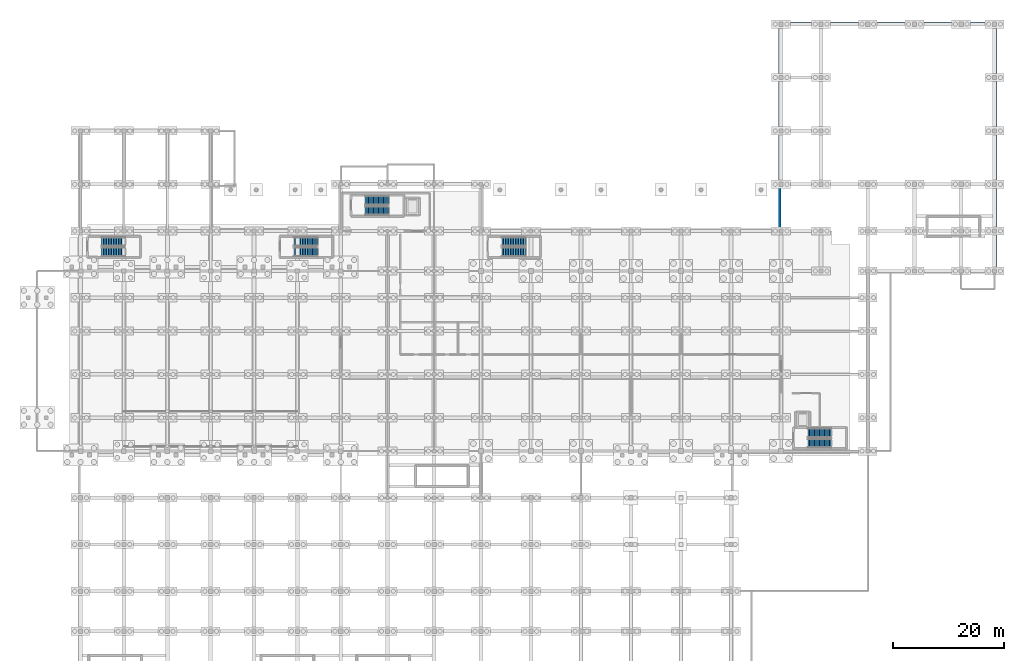
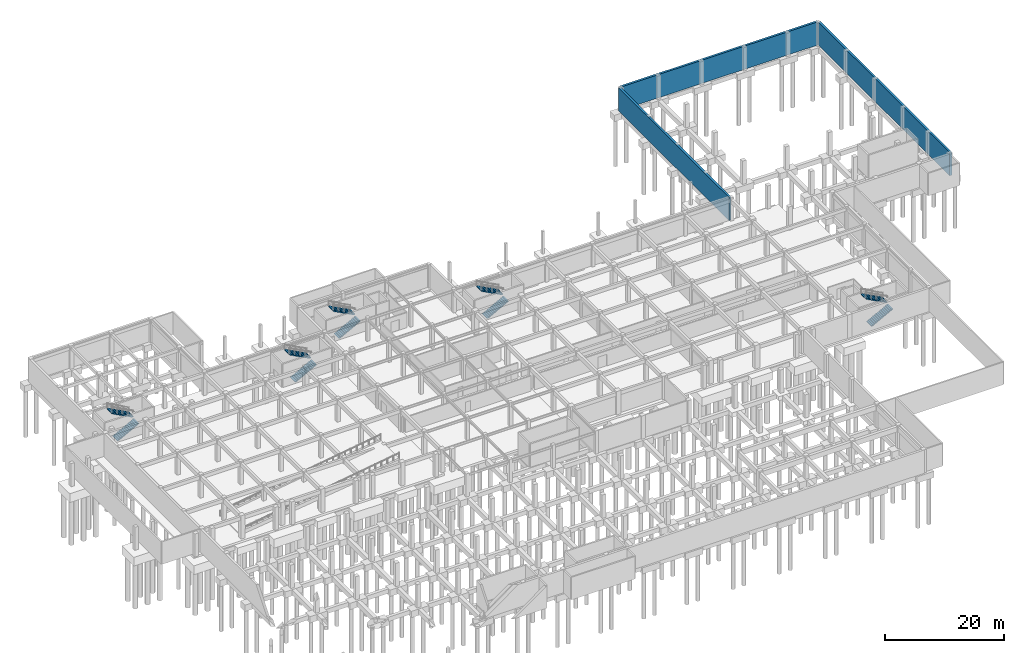
# One storey, part 21 of 26: 10 stair flights, 3 walls, 5 elements without a shape of their own.
"""IFC4 building model written with IfcOpenShell, lengths in metres."""

import ifcopenshell
import ifcopenshell.guid

model = None  # the IFC model being written
_history = None  # IfcOwnerHistory: only IFC2X3 demands one
_inside = {}  # id of a spatial element -> (the spatial element, [elements in it])
_under = {}  # id of a project, library or spatial element -> (it, [spatial elements below it])
_declared = {}  # id of a project -> (the project, [libraries it declares])
_typed = {}  # id of a type object -> (the type object, [elements of that type])
_made_of = {}  # id of a material, layer set ... -> (it, [elements and type objects made of it])


def new_model(schema):
    """Start an empty IFC model of exactly this schema.

    Asked for "IFC4X3", IfcOpenShell would pick the latest addendum, in which some entities
    have other attributes; the version numbers below select the first issue.
    IFC2X3 requires an IfcOwnerHistory on every rooted entity: one is made here for all.
    """
    global model, _history
    if schema == "IFC4X3":
        model = ifcopenshell.file(schema_version=(4, 3, 0, 0))
    else:
        model = ifcopenshell.file(schema=schema)
    _inside.clear()
    _under.clear()
    _declared.clear()
    _typed.clear()
    _made_of.clear()
    _history = None
    if model.schema == "IFC2X3":
        org = make("IfcOrganization", Name="unknown")
        user = make(
            "IfcPersonAndOrganization",
            ThePerson=make("IfcPerson", FamilyName="unknown"),
            TheOrganization=org,
        )
        app = make(
            "IfcApplication",
            ApplicationDeveloper=org,
            Version="unknown",
            ApplicationFullName="unknown",
            ApplicationIdentifier="unknown",
        )
        _history = make(
            "IfcOwnerHistory",
            OwningUser=user,
            OwningApplication=app,
            ChangeAction="ADDED",
            CreationDate=0,
        )
    return model


def make(cls, **values):
    """One entity of the class cls with the attributes given. An attribute that is None is left unset."""
    return model.create_entity(
        cls, **{name: value for name, value in values.items() if value is not None}
    )


def rooted(cls, **values):
    """An entity with a GlobalId (a new one), such as an element, a storey or a relation."""
    return make(cls, GlobalId=ifcopenshell.guid.new(), OwnerHistory=_history, **values)


def si_unit(unit_type, name, prefix=None):
    """IfcSIUnit, for example si_unit("LENGTHUNIT", "METRE", prefix="MILLI")."""
    return make("IfcSIUnit", UnitType=unit_type, Prefix=prefix, Name=name)


def assignment(units):
    """IfcUnitAssignment: the units of a project."""
    return None if units is None else make("IfcUnitAssignment", Units=units)


def point(xyz):
    """IfcCartesianPoint."""
    return None if xyz is None else make("IfcCartesianPoint", Coordinates=xyz)


def direction(xyz):
    """IfcDirection."""
    return None if xyz is None else make("IfcDirection", DirectionRatios=xyz)


def frame(location, z_axis=None, x_axis=None):
    """IfcAxis2Placement3D, a coordinate frame: its origin and axes. An axis left out is left unset."""
    return make(
        "IfcAxis2Placement3D",
        Location=point(location),
        Axis=direction(z_axis),
        RefDirection=direction(x_axis),
    )


def frame_2d(location, x_axis=None):
    """IfcAxis2Placement2D, a coordinate frame in the plane: its origin and x axis."""
    return make(
        "IfcAxis2Placement2D", Location=point(location), RefDirection=direction(x_axis)
    )


def origin():
    """The frame at (0, 0, 0) with its axes left unset."""
    return frame((0.0, 0.0, 0.0))


def place(relative_to, where):
    """IfcLocalPlacement: puts the frame where relative to a parent placement (None: the world)."""
    return make(
        "IfcLocalPlacement", PlacementRelTo=relative_to, RelativePlacement=where
    )


def context(
    kind, dimensions, precision=None, world=None, true_north=None, identifier=None
):
    """IfcGeometricRepresentationContext, for example the 3D "Model" context."""
    return make(
        "IfcGeometricRepresentationContext",
        ContextIdentifier=identifier,
        ContextType=kind,
        CoordinateSpaceDimension=dimensions,
        Precision=precision,
        WorldCoordinateSystem=world,
        TrueNorth=true_north,
    )


def subcontext(parent, identifier, kind, view, scale=None):
    """IfcGeometricRepresentationSubContext, for example "Body" below "Model"."""
    return make(
        "IfcGeometricRepresentationSubContext",
        ContextIdentifier=identifier,
        ContextType=kind,
        ParentContext=parent,
        TargetScale=scale,
        TargetView=view,
    )


def project(units=None, contexts=None):
    """IfcProject with its units and contexts."""
    return rooted(
        "IfcProject",
        Name="project",
        RepresentationContexts=contexts,
        UnitsInContext=assignment(units),
    )


def spatial(cls, under=None, at=None, **own):
    """A site, building, storey or space (cls), placed at a placement, below another one or the project."""
    s = rooted(cls, ObjectPlacement=at, **own)
    if under is not None:
        _under.setdefault(under.id(), (under, []))[1].append(s)
    return s


def polyline(points):
    """IfcPolyline through the points."""
    return make("IfcPolyline", Points=[point(p) for p in points])


def profile(cls, at=None, kind="AREA", **sizes):
    """A parametric profile (cls). Its sizes go by their IFC names, for example OverallWidth=200.0."""
    return make(cls, ProfileType=kind, Position=at, **sizes)


def rectangle(**sizes):
    """IfcRectangleProfileDef."""
    return profile("IfcRectangleProfileDef", **sizes)


def outline(outer, holes=None, kind="AREA"):
    """IfcArbitraryClosedProfileDef: a profile drawn as a closed curve; with holes, ...WithVoids."""
    if holes is None:
        return make("IfcArbitraryClosedProfileDef", ProfileType=kind, OuterCurve=outer)
    return make(
        "IfcArbitraryProfileDefWithVoids",
        ProfileType=kind,
        OuterCurve=outer,
        InnerCurves=holes,
    )


def extrude(swept, where, along, depth):
    """IfcExtrudedAreaSolid: the profile swept, set in the frame where, extruded along a direction by depth."""
    return make(
        "IfcExtrudedAreaSolid",
        SweptArea=swept,
        Position=where,
        ExtrudedDirection=direction(along),
        Depth=depth,
    )


def shape(context_of_items, identifier, shape_type, items):
    """IfcShapeRepresentation: the items that make up one representation, for example the "Body"."""
    return make(
        "IfcShapeRepresentation",
        ContextOfItems=context_of_items,
        RepresentationIdentifier=identifier,
        RepresentationType=shape_type,
        Items=items,
    )


def material(Name=None, Category=None):
    """IfcMaterial."""
    return make("IfcMaterial", Name=Name, Category=Category)


def layer(
    of_material, thickness, ventilated=None, Name=None, Category=None, Priority=None
):
    """IfcMaterialLayer: one layer of a wall or slab, of a material (None: an air gap)."""
    return make(
        "IfcMaterialLayer",
        Material=of_material,
        LayerThickness=thickness,
        IsVentilated=ventilated,
        Name=Name,
        Category=Category,
        Priority=Priority,
    )


def layer_set(layers, Name=None):
    """IfcMaterialLayerSet."""
    return make("IfcMaterialLayerSet", MaterialLayers=layers, LayerSetName=Name)


def made_of(thing, what):
    """Note that an element or type object is made of a material, layer set ...; save() writes the relation."""
    if what is not None:
        _made_of.setdefault(what.id(), (what, []))[1].append(thing)
    return thing


def type_object(cls, material=None, **own):
    """A type object (cls), such as IfcWallType, which elements share."""
    return made_of(rooted(cls, **own), material)


def element(
    cls,
    number,
    at=None,
    inside=None,
    cuts=None,
    type_object=None,
    material=None,
    context=None,
    identifier="Body",
    shape_type=None,
    held_by="IfcProductDefinitionShape",
    body=None,
    shapes=None,
    **own,
):
    """One element of the class cls, such as IfcWall. Its Tag is "e" and its number.

    at: its placement. inside: the storey or other place that contains it. cuts: it is an
    opening in that element (IfcRelVoidsElement). A single representation is given by context,
    identifier, shape_type and body (its items); several are given by shapes. held_by: the class
    of the entity that holds the representations. save() writes the other relations.
    """
    e = rooted(cls, Tag="e%d" % number, ObjectPlacement=at, **own)
    if body is not None:
        shapes = [shape(context, identifier, shape_type, body)]
    if shapes is not None:
        e.Representation = make(held_by, Representations=shapes)
    if inside is not None:
        _inside.setdefault(inside.id(), (inside, []))[1].append(e)
    if cuts is not None:
        rooted(
            "IfcRelVoidsElement", RelatingBuildingElement=cuts, RelatedOpeningElement=e
        )
    if type_object is not None:
        _typed.setdefault(type_object.id(), (type_object, []))[1].append(e)
    return made_of(e, material)


def aggregate(whole, parts):
    """IfcRelAggregates: a whole, such as a stair, and the parts it consists of."""
    return rooted("IfcRelAggregates", RelatingObject=whole, RelatedObjects=parts)


def save(model, path):
    """Write the relations noted so far, then the file.

    IfcRelAggregates (storeys below a building ...), IfcRelContainedInSpatialStructure (elements
    in a storey), IfcRelDefinesByType, IfcRelAssociatesMaterial and IfcRelDeclares: one each for
    every whole, place, type object, material and project.
    """
    for whole, parts in _under.values():
        aggregate(whole, parts)
    for where, things in _inside.values():
        rooted(
            "IfcRelContainedInSpatialStructure",
            RelatedElements=things,
            RelatingStructure=where,
        )
    for kind, things in _typed.values():
        rooted("IfcRelDefinesByType", RelatedObjects=things, RelatingType=kind)
    for what, things in _made_of.values():
        rooted("IfcRelAssociatesMaterial", RelatedObjects=things, RelatingMaterial=what)
    for by, libraries in _declared.values():
        rooted("IfcRelDeclares", RelatingContext=by, RelatedDefinitions=libraries)
    model.write(path)


model = new_model("IFC4")

# Units and contexts
model_context = context("Model", 3, precision=1e-05, world=origin(), true_north=direction((0.0, 1.0)))
body_context = subcontext(model_context, "Body", "Model", "MODEL_VIEW")
ifc_project = project(units=[si_unit("LENGTHUNIT", "METRE"), si_unit("AREAUNIT", "SQUARE_METRE"), si_unit("VOLUMEUNIT", "CUBIC_METRE"), si_unit("PLANEANGLEUNIT", "RADIAN"), si_unit("MASSUNIT", "GRAM", prefix="KILO")], contexts=[model_context])

# Site, building, storey
site_placement = place(None, origin())
site = spatial("IfcSite", under=ifc_project, at=site_placement, CompositionType="ELEMENT")
building_placement = place(site_placement, origin())
building = spatial("IfcBuilding", under=site, at=building_placement, Name="Tizgana Railside Sports Hall", CompositionType="ELEMENT")
storey_placement = place(building_placement, frame((0.0, 0.0, -4.800048828125)))
storey = spatial("IfcBuildingStorey", under=building, at=storey_placement, Name="B1", CompositionType="ELEMENT", Elevation=-4.800048828125)

# Walls
ifc_material = material(Name="Concrete C35/45", Category="concrete")
ifc_layer = layer(ifc_material, 0.419921875, Name="Concrete C35/45")
ifc_layer_set = layer_set([ifc_layer], Name="Concrete C35/45")
wall_type = type_object("IfcWallType", Name="Basement Retaining Wall 420", PredefinedType="USERDEFINED", material=ifc_layer_set)
wall_1_placement = place(storey_placement, frame((172.419921875, 73.18505859375, 0.0), z_axis=(0.0, 0.0, 1.0), x_axis=(0.0, 1.0, 0.0)))
element("IfcWall", 1, at=wall_1_placement, inside=storey, type_object=wall_type, Name="B1 Retaining Wall WAL-0006", ObjectType="RETAINING", PredefinedType="USERDEFINED", context=body_context, shape_type="SweptSolid", body=[
    extrude(rectangle(XDim=44.4150390625, YDim=0.419921875, at=frame_2d((22.20751953125, 0.0))), origin(), (0.0, 0.0, 1.0), 4.780029296875),
])
wall_2_placement = place(storey_placement, frame((172.199951171875, 117.820068359375, 0.0), z_axis=(0.0, 0.0, 1.0), x_axis=(-1.0, 0.0, 0.0)))
element("IfcWall", 2, at=wall_2_placement, inside=storey, type_object=wall_type, Name="B1 Retaining Wall WAL-0007", ObjectType="RETAINING", PredefinedType="USERDEFINED", context=body_context, shape_type="SweptSolid", body=[
    extrude(rectangle(XDim=38.39990234375, YDim=0.419921875, at=frame_2d((19.199951171875, 0.0))), origin(), (0.0, 0.0, 1.0), 4.780029296875),
])
wall_3_placement = place(storey_placement, frame((133.580078125, 117.60009765625, 0.0), z_axis=(0.0, 0.0, 1.0), x_axis=(0.0, -1.0, 0.0)))
element("IfcWall", 3, at=wall_3_placement, inside=storey, type_object=wall_type, Name="B1 Retaining Wall WAL-0008", ObjectType="RETAINING", PredefinedType="USERDEFINED", context=body_context, shape_type="SweptSolid", body=[
    extrude(rectangle(XDim=37.2001953125, YDim=0.419921875, at=frame_2d((18.60009765625, 0.0))), origin(), (0.0, 0.0, 1.0), 4.780029296875),
])

# Stair, stair flights
stair_type_1 = type_object("IfcStairType", Name="Core Protected Stair 1500", PredefinedType="HALF_TURN_STAIR", material=ifc_material)
stair_1_placement = place(storey_placement, origin())
stair_1 = element("IfcStair", 4, at=stair_1_placement, inside=storey, type_object=stair_type_1, Name="B1 Core Stair ST-05", PredefinedType="HALF_TURN_STAIR")
stair_flight_type_1 = type_object("IfcStairFlightType", Name="Core Stair Flight 1500", PredefinedType="STRAIGHT", material=ifc_material)
stair_flight_1_placement = place(storey_placement, frame((138.60009765625, 42.22509765625, 0.0), z_axis=(0.0, 0.0, 1.0), x_axis=(1.0, 0.0, 0.0)))
stair_flight_1 = element("IfcStairFlight", 5, at=stair_flight_1_placement, type_object=stair_flight_type_1, Name="ST-05 flight 1", NumberOfRisers=15, NumberOfTreads=14, PredefinedType="STRAIGHT", RiserHeight=0.16, TreadLength=0.3, context=body_context, shape_type="SweptSolid", body=[
    extrude(outline(polyline([(0.0, 0.0), (0.0, 0.159912109375), (0.300048828125, 0.159912109375), (0.300048828125, 0.320068359375), (0.60009765625, 0.320068359375), (0.60009765625, 0.47998046875), (0.89990234375, 0.47998046875), (0.89990234375, 0.639892578125), (1.199951171875, 0.639892578125), (1.199951171875, 0.800048828125), (1.5, 0.800048828125), (1.5, 0.9599609375), (1.800048828125, 0.9599609375), (1.800048828125, 1.1201171875), (2.10009765625, 1.1201171875), (2.10009765625, 1.280029296875), (2.39990234375, 1.280029296875), (2.39990234375, 1.43994140625), (2.699951171875, 1.43994140625), (2.699951171875, 1.60009765625), (3.0, 1.60009765625), (3.0, 1.760009765625), (3.300048828125, 1.760009765625), (3.300048828125, 1.919921875), (3.60009765625, 1.919921875), (3.60009765625, 2.080078125), (3.89990234375, 2.080078125), (3.89990234375, 2.239990234375), (4.199951171875, 2.239990234375), (4.199951171875, 2.39990234375), (4.199951171875, 2.070068359375), (0.318603515625, 0.0), (0.0, 0.0)])), frame((0.0, 0.824951171875, 0.0), z_axis=(0.0, -1.0, 0.0), x_axis=(1.0, 0.0, 0.0)), (0.0, 0.0, 1.0), 1.64990234375),
])
stair_flight_2_placement = place(storey_placement, frame((142.800048828125, 44.074951171875, 2.400146484375), z_axis=(0.0, 0.0, 1.0), x_axis=(-1.0, 0.0, 0.0)))
stair_flight_2 = element("IfcStairFlight", 6, at=stair_flight_2_placement, type_object=stair_flight_type_1, Name="ST-05 flight 2", NumberOfRisers=15, NumberOfTreads=14, PredefinedType="STRAIGHT", RiserHeight=0.16, TreadLength=0.3, context=body_context, shape_type="SweptSolid", body=[
    extrude(outline(polyline([(0.0, 0.0), (0.0, 0.159912109375), (0.300048828125, 0.159912109375), (0.300048828125, 0.320068359375), (0.60009765625, 0.320068359375), (0.60009765625, 0.47998046875), (0.89990234375, 0.47998046875), (0.89990234375, 0.639892578125), (1.199951171875, 0.639892578125), (1.199951171875, 0.800048828125), (1.5, 0.800048828125), (1.5, 0.9599609375), (1.800048828125, 0.9599609375), (1.800048828125, 1.1201171875), (2.10009765625, 1.1201171875), (2.10009765625, 1.280029296875), (2.39990234375, 1.280029296875), (2.39990234375, 1.43994140625), (2.699951171875, 1.43994140625), (2.699951171875, 1.60009765625), (3.0, 1.60009765625), (3.0, 1.760009765625), (3.300048828125, 1.760009765625), (3.300048828125, 1.919921875), (3.60009765625, 1.919921875), (3.60009765625, 2.080078125), (3.89990234375, 2.080078125), (3.89990234375, 2.239990234375), (4.199951171875, 2.239990234375), (4.199951171875, 2.39990234375), (4.199951171875, 2.070068359375), (0.318603515625, 0.0), (0.0, 0.0)])), frame((0.0, 0.824951171875, 0.0), z_axis=(0.0, -1.0, 0.0), x_axis=(1.0, 0.0, 0.0)), (0.0, 0.0, 1.0), 1.64990234375),
])
aggregate(stair_1, [stair_flight_1, stair_flight_2])

stair_type_2 = type_object("IfcStairType", Name="Concourse Feature Stair 1800", PredefinedType="HALF_TURN_STAIR", material=ifc_material)
stair_2_placement = place(storey_placement, origin())
stair_2 = element("IfcStair", 7, at=stair_2_placement, inside=storey, type_object=stair_type_2, Name="B1 Core Stair ST-04", PredefinedType="HALF_TURN_STAIR")
stair_flight_type_2 = type_object("IfcStairFlightType", Name="Feature Stair Flight 1800", PredefinedType="STRAIGHT", material=ifc_material)
stair_flight_3_placement = place(storey_placement, frame((59.0, 84.02490234375, 0.0), z_axis=(0.0, 0.0, 1.0), x_axis=(1.0, 0.0, 0.0)))
stair_flight_3 = element("IfcStairFlight", 8, at=stair_flight_3_placement, type_object=stair_flight_type_2, Name="ST-04 flight 1", NumberOfRisers=15, NumberOfTreads=14, PredefinedType="STRAIGHT", RiserHeight=0.16, TreadLength=0.3, context=body_context, shape_type="SweptSolid", body=[
    extrude(outline(polyline([(0.0, 0.0), (0.0, 0.159912109375), (0.300048828125, 0.159912109375), (0.300048828125, 0.320068359375), (0.60009765625, 0.320068359375), (0.60009765625, 0.47998046875), (0.89990234375, 0.47998046875), (0.89990234375, 0.639892578125), (1.199951171875, 0.639892578125), (1.199951171875, 0.800048828125), (1.5, 0.800048828125), (1.5, 0.9599609375), (1.800048828125, 0.9599609375), (1.800048828125, 1.1201171875), (2.10009765625, 1.1201171875), (2.10009765625, 1.280029296875), (2.39990234375, 1.280029296875), (2.39990234375, 1.43994140625), (2.699951171875, 1.43994140625), (2.699951171875, 1.60009765625), (3.0, 1.60009765625), (3.0, 1.760009765625), (3.300048828125, 1.760009765625), (3.300048828125, 1.919921875), (3.60009765625, 1.919921875), (3.60009765625, 2.080078125), (3.89990234375, 2.080078125), (3.89990234375, 2.239990234375), (4.199951171875, 2.239990234375), (4.199951171875, 2.39990234375), (4.199951171875, 2.070068359375), (0.318603515625, 0.0), (0.0, 0.0)])), frame((0.0, 0.824951171875, 0.0), z_axis=(0.0, -1.0, 0.0), x_axis=(1.0, 0.0, 0.0)), (0.0, 0.0, 1.0), 1.64990234375),
])
stair_flight_4_placement = place(storey_placement, frame((63.199951171875, 85.875, 2.400146484375), z_axis=(0.0, 0.0, 1.0), x_axis=(-1.0, 0.0, 0.0)))
stair_flight_4 = element("IfcStairFlight", 9, at=stair_flight_4_placement, type_object=stair_flight_type_2, Name="ST-04 flight 2", NumberOfRisers=15, NumberOfTreads=14, PredefinedType="STRAIGHT", RiserHeight=0.16, TreadLength=0.3, context=body_context, shape_type="SweptSolid", body=[
    extrude(outline(polyline([(0.0, 0.0), (0.0, 0.159912109375), (0.300048828125, 0.159912109375), (0.300048828125, 0.320068359375), (0.60009765625, 0.320068359375), (0.60009765625, 0.47998046875), (0.89990234375, 0.47998046875), (0.89990234375, 0.639892578125), (1.199951171875, 0.639892578125), (1.199951171875, 0.800048828125), (1.5, 0.800048828125), (1.5, 0.9599609375), (1.800048828125, 0.9599609375), (1.800048828125, 1.1201171875), (2.10009765625, 1.1201171875), (2.10009765625, 1.280029296875), (2.39990234375, 1.280029296875), (2.39990234375, 1.43994140625), (2.699951171875, 1.43994140625), (2.699951171875, 1.60009765625), (3.0, 1.60009765625), (3.0, 1.760009765625), (3.300048828125, 1.760009765625), (3.300048828125, 1.919921875), (3.60009765625, 1.919921875), (3.60009765625, 2.080078125), (3.89990234375, 2.080078125), (3.89990234375, 2.239990234375), (4.199951171875, 2.239990234375), (4.199951171875, 2.39990234375), (4.199951171875, 2.070068359375), (0.318603515625, 0.0), (0.0, 0.0)])), frame((0.0, 0.824951171875, 0.0), z_axis=(0.0, -1.0, 0.0), x_axis=(1.0, 0.0, 0.0)), (0.0, 0.0, 1.0), 1.64990234375),
])
aggregate(stair_2, [stair_flight_3, stair_flight_4])

stair_3_placement = place(storey_placement, origin())
stair_3 = element("IfcStair", 10, at=stair_3_placement, inside=storey, type_object=stair_type_2, Name="B1 Core Stair ST-08", PredefinedType="HALF_TURN_STAIR")
stair_flight_5_placement = place(storey_placement, frame((83.60009765625, 76.625, 0.0), z_axis=(0.0, 0.0, 1.0), x_axis=(1.0, 0.0, 0.0)))
stair_flight_5 = element("IfcStairFlight", 11, at=stair_flight_5_placement, type_object=stair_flight_type_2, Name="ST-08 flight 1", NumberOfRisers=15, NumberOfTreads=14, PredefinedType="STRAIGHT", RiserHeight=0.16, TreadLength=0.3, context=body_context, shape_type="SweptSolid", body=[
    extrude(outline(polyline([(0.0, 0.0), (0.0, 0.159912109375), (0.300048828125, 0.159912109375), (0.300048828125, 0.320068359375), (0.60009765625, 0.320068359375), (0.60009765625, 0.47998046875), (0.89990234375, 0.47998046875), (0.89990234375, 0.639892578125), (1.199951171875, 0.639892578125), (1.199951171875, 0.800048828125), (1.5, 0.800048828125), (1.5, 0.9599609375), (1.800048828125, 0.9599609375), (1.800048828125, 1.1201171875), (2.10009765625, 1.1201171875), (2.10009765625, 1.280029296875), (2.39990234375, 1.280029296875), (2.39990234375, 1.43994140625), (2.699951171875, 1.43994140625), (2.699951171875, 1.60009765625), (3.0, 1.60009765625), (3.0, 1.760009765625), (3.300048828125, 1.760009765625), (3.300048828125, 1.919921875), (3.60009765625, 1.919921875), (3.60009765625, 2.080078125), (3.89990234375, 2.080078125), (3.89990234375, 2.239990234375), (4.199951171875, 2.239990234375), (4.199951171875, 2.39990234375), (4.199951171875, 2.070068359375), (0.318603515625, 0.0), (0.0, 0.0)])), frame((0.0, 0.824951171875, 0.0), z_axis=(0.0, -1.0, 0.0), x_axis=(1.0, 0.0, 0.0)), (0.0, 0.0, 1.0), 1.64990234375),
])
stair_flight_6_placement = place(storey_placement, frame((87.800048828125, 78.47509765625, 2.400146484375), z_axis=(0.0, 0.0, 1.0), x_axis=(-1.0, 0.0, 0.0)))
stair_flight_6 = element("IfcStairFlight", 12, at=stair_flight_6_placement, type_object=stair_flight_type_2, Name="ST-08 flight 2", NumberOfRisers=15, NumberOfTreads=14, PredefinedType="STRAIGHT", RiserHeight=0.16, TreadLength=0.3, context=body_context, shape_type="SweptSolid", body=[
    extrude(outline(polyline([(0.0, 0.0), (0.0, 0.159912109375), (0.300048828125, 0.159912109375), (0.300048828125, 0.320068359375), (0.60009765625, 0.320068359375), (0.60009765625, 0.47998046875), (0.89990234375, 0.47998046875), (0.89990234375, 0.639892578125), (1.199951171875, 0.639892578125), (1.199951171875, 0.800048828125), (1.5, 0.800048828125), (1.5, 0.9599609375), (1.800048828125, 0.9599609375), (1.800048828125, 1.1201171875), (2.10009765625, 1.1201171875), (2.10009765625, 1.280029296875), (2.39990234375, 1.280029296875), (2.39990234375, 1.43994140625), (2.699951171875, 1.43994140625), (2.699951171875, 1.60009765625), (3.0, 1.60009765625), (3.0, 1.760009765625), (3.300048828125, 1.760009765625), (3.300048828125, 1.919921875), (3.60009765625, 1.919921875), (3.60009765625, 2.080078125), (3.89990234375, 2.080078125), (3.89990234375, 2.239990234375), (4.199951171875, 2.239990234375), (4.199951171875, 2.39990234375), (4.199951171875, 2.070068359375), (0.318603515625, 0.0), (0.0, 0.0)])), frame((0.0, 0.824951171875, 0.0), z_axis=(0.0, -1.0, 0.0), x_axis=(1.0, 0.0, 0.0)), (0.0, 0.0, 1.0), 1.64990234375),
])
aggregate(stair_3, [stair_flight_5, stair_flight_6])

stair_type_3 = type_object("IfcStairType", Name="Spectator Aisle Stair 1400", PredefinedType="HALF_TURN_STAIR", material=ifc_material)
stair_4_placement = place(storey_placement, origin())
stair_4 = element("IfcStair", 13, at=stair_4_placement, inside=storey, type_object=stair_type_3, Name="B1 Core Stair ST-07", PredefinedType="HALF_TURN_STAIR")
stair_flight_type_3 = type_object("IfcStairFlightType", Name="Spectator Stair Flight 1400", PredefinedType="STRAIGHT", material=ifc_material)
stair_flight_7_placement = place(storey_placement, frame((11.60009765625, 76.625, 0.0), z_axis=(0.0, 0.0, 1.0), x_axis=(1.0, 0.0, 0.0)))
stair_flight_7 = element("IfcStairFlight", 14, at=stair_flight_7_placement, type_object=stair_flight_type_3, Name="ST-07 flight 1", NumberOfRisers=15, NumberOfTreads=14, PredefinedType="STRAIGHT", RiserHeight=0.16, TreadLength=0.3, context=body_context, shape_type="SweptSolid", body=[
    extrude(outline(polyline([(0.0, 0.0), (0.0, 0.159912109375), (0.300048828125, 0.159912109375), (0.300048828125, 0.320068359375), (0.60009765625, 0.320068359375), (0.60009765625, 0.47998046875), (0.89990234375, 0.47998046875), (0.89990234375, 0.639892578125), (1.199951171875, 0.639892578125), (1.199951171875, 0.800048828125), (1.5, 0.800048828125), (1.5, 0.9599609375), (1.800048828125, 0.9599609375), (1.800048828125, 1.1201171875), (2.10009765625, 1.1201171875), (2.10009765625, 1.280029296875), (2.39990234375, 1.280029296875), (2.39990234375, 1.43994140625), (2.699951171875, 1.43994140625), (2.699951171875, 1.60009765625), (3.0, 1.60009765625), (3.0, 1.760009765625), (3.300048828125, 1.760009765625), (3.300048828125, 1.919921875), (3.60009765625, 1.919921875), (3.60009765625, 2.080078125), (3.89990234375, 2.080078125), (3.89990234375, 2.239990234375), (4.199951171875, 2.239990234375), (4.199951171875, 2.39990234375), (4.199951171875, 2.070068359375), (0.318603515625, 0.0), (0.0, 0.0)])), frame((0.0, 0.824951171875, 0.0), z_axis=(0.0, -1.0, 0.0), x_axis=(1.0, 0.0, 0.0)), (0.0, 0.0, 1.0), 1.64990234375),
])
stair_flight_8_placement = place(storey_placement, frame((15.800048828125, 78.47509765625, 2.400146484375), z_axis=(0.0, 0.0, 1.0), x_axis=(-1.0, 0.0, 0.0)))
stair_flight_8 = element("IfcStairFlight", 15, at=stair_flight_8_placement, type_object=stair_flight_type_3, Name="ST-07 flight 2", NumberOfRisers=15, NumberOfTreads=14, PredefinedType="STRAIGHT", RiserHeight=0.16, TreadLength=0.3, context=body_context, shape_type="SweptSolid", body=[
    extrude(outline(polyline([(0.0, 0.0), (0.0, 0.159912109375), (0.300048828125, 0.159912109375), (0.300048828125, 0.320068359375), (0.60009765625, 0.320068359375), (0.60009765625, 0.47998046875), (0.89990234375, 0.47998046875), (0.89990234375, 0.639892578125), (1.199951171875, 0.639892578125), (1.199951171875, 0.800048828125), (1.5, 0.800048828125), (1.5, 0.9599609375), (1.800048828125, 0.9599609375), (1.800048828125, 1.1201171875), (2.10009765625, 1.1201171875), (2.10009765625, 1.280029296875), (2.39990234375, 1.280029296875), (2.39990234375, 1.43994140625), (2.699951171875, 1.43994140625), (2.699951171875, 1.60009765625), (3.0, 1.60009765625), (3.0, 1.760009765625), (3.300048828125, 1.760009765625), (3.300048828125, 1.919921875), (3.60009765625, 1.919921875), (3.60009765625, 2.080078125), (3.89990234375, 2.080078125), (3.89990234375, 2.239990234375), (4.199951171875, 2.239990234375), (4.199951171875, 2.39990234375), (4.199951171875, 2.070068359375), (0.318603515625, 0.0), (0.0, 0.0)])), frame((0.0, 0.824951171875, 0.0), z_axis=(0.0, -1.0, 0.0), x_axis=(1.0, 0.0, 0.0)), (0.0, 0.0, 1.0), 1.64990234375),
])
aggregate(stair_4, [stair_flight_7, stair_flight_8])

stair_type_4 = type_object("IfcStairType", Name="Tournament Court Stair 1600", PredefinedType="HALF_TURN_STAIR", material=ifc_material)
stair_5_placement = place(storey_placement, origin())
stair_5 = element("IfcStair", 16, at=stair_5_placement, inside=storey, type_object=stair_type_4, Name="B1 Core Stair ST-06", PredefinedType="HALF_TURN_STAIR")
stair_flight_type_4 = type_object("IfcStairFlightType", Name="Tournament Stair Flight 1600", PredefinedType="STRAIGHT", material=ifc_material)
stair_flight_9_placement = place(storey_placement, frame((46.199951171875, 76.625, 0.0), z_axis=(0.0, 0.0, 1.0), x_axis=(1.0, 0.0, 0.0)))
stair_flight_9 = element("IfcStairFlight", 17, at=stair_flight_9_placement, type_object=stair_flight_type_4, Name="ST-06 flight 1", NumberOfRisers=15, NumberOfTreads=14, PredefinedType="STRAIGHT", RiserHeight=0.16, TreadLength=0.3, context=body_context, shape_type="SweptSolid", body=[
    extrude(outline(polyline([(0.0, 0.0), (0.0, 0.159912109375), (0.300048828125, 0.159912109375), (0.300048828125, 0.320068359375), (0.60009765625, 0.320068359375), (0.60009765625, 0.47998046875), (0.89990234375, 0.47998046875), (0.89990234375, 0.639892578125), (1.199951171875, 0.639892578125), (1.199951171875, 0.800048828125), (1.5, 0.800048828125), (1.5, 0.9599609375), (1.800048828125, 0.9599609375), (1.800048828125, 1.1201171875), (2.10009765625, 1.1201171875), (2.10009765625, 1.280029296875), (2.39990234375, 1.280029296875), (2.39990234375, 1.43994140625), (2.699951171875, 1.43994140625), (2.699951171875, 1.60009765625), (3.0, 1.60009765625), (3.0, 1.760009765625), (3.300048828125, 1.760009765625), (3.300048828125, 1.919921875), (3.60009765625, 1.919921875), (3.60009765625, 2.080078125), (3.89990234375, 2.080078125), (3.89990234375, 2.239990234375), (4.199951171875, 2.239990234375), (4.199951171875, 2.39990234375), (4.199951171875, 2.070068359375), (0.318603515625, 0.0), (0.0, 0.0)])), frame((0.0, 0.824951171875, 0.0), z_axis=(0.0, -1.0, 0.0), x_axis=(1.0, 0.0, 0.0)), (0.0, 0.0, 1.0), 1.64990234375),
])
stair_flight_10_placement = place(storey_placement, frame((50.39990234375, 78.47509765625, 2.400146484375), z_axis=(0.0, 0.0, 1.0), x_axis=(-1.0, 0.0, 0.0)))
stair_flight_10 = element("IfcStairFlight", 18, at=stair_flight_10_placement, type_object=stair_flight_type_4, Name="ST-06 flight 2", NumberOfRisers=15, NumberOfTreads=14, PredefinedType="STRAIGHT", RiserHeight=0.16, TreadLength=0.3, context=body_context, shape_type="SweptSolid", body=[
    extrude(outline(polyline([(0.0, 0.0), (0.0, 0.159912109375), (0.300048828125, 0.159912109375), (0.300048828125, 0.320068359375), (0.60009765625, 0.320068359375), (0.60009765625, 0.47998046875), (0.89990234375, 0.47998046875), (0.89990234375, 0.639892578125), (1.199951171875, 0.639892578125), (1.199951171875, 0.800048828125), (1.5, 0.800048828125), (1.5, 0.9599609375), (1.800048828125, 0.9599609375), (1.800048828125, 1.1201171875), (2.10009765625, 1.1201171875), (2.10009765625, 1.280029296875), (2.39990234375, 1.280029296875), (2.39990234375, 1.43994140625), (2.699951171875, 1.43994140625), (2.699951171875, 1.60009765625), (3.0, 1.60009765625), (3.0, 1.760009765625), (3.300048828125, 1.760009765625), (3.300048828125, 1.919921875), (3.60009765625, 1.919921875), (3.60009765625, 2.080078125), (3.89990234375, 2.080078125), (3.89990234375, 2.239990234375), (4.199951171875, 2.239990234375), (4.199951171875, 2.39990234375), (4.199951171875, 2.070068359375), (0.318603515625, 0.0), (0.0, 0.0)])), frame((0.0, 0.824951171875, 0.0), z_axis=(0.0, -1.0, 0.0), x_axis=(1.0, 0.0, 0.0)), (0.0, 0.0, 1.0), 1.64990234375),
])
aggregate(stair_5, [stair_flight_9, stair_flight_10])

save(model, "model.ifc")
